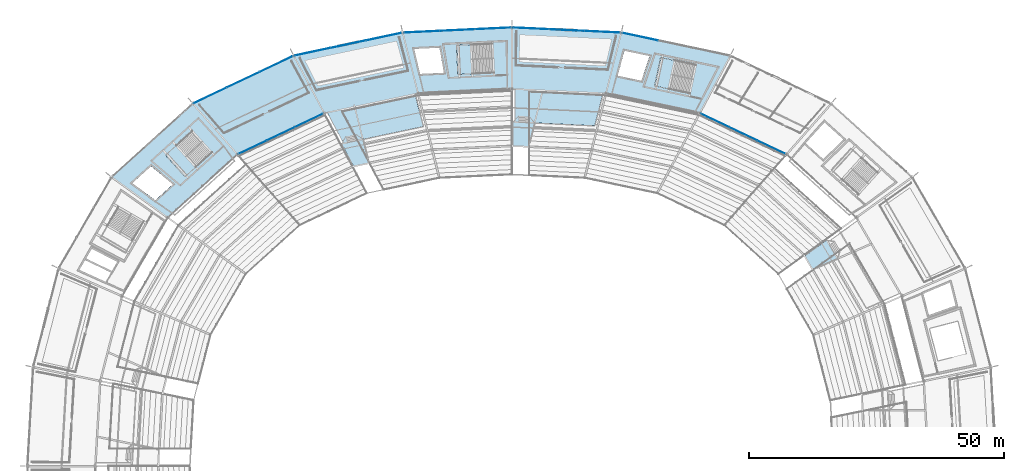
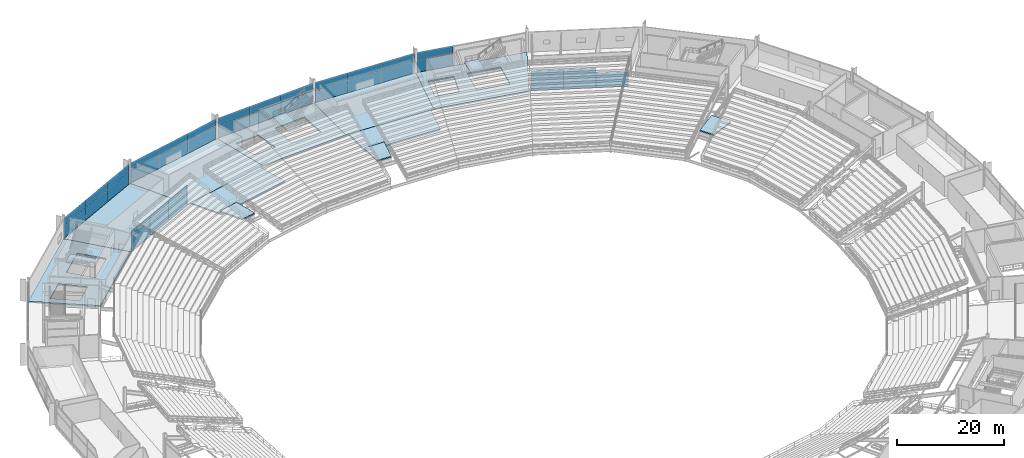
# One storey, part 123 of 186: 37 plates, 14 slabs, 10 elements without a shape of their own.
"""IFC4 building model written with IfcOpenShell, lengths in metres."""

from ifc_helpers import new_model, si_unit, direction, frame, origin, origin_2d, place, context, subcontext, project, spatial, polyline, rectangle, outline, extrude, material, layer, layer_set, type_object, element, aggregate, save


model = new_model("IFC4")

# Units and contexts
model_context = context("Model", 3, precision=1e-05, world=origin(), true_north=direction((0.0, 1.0)))
body_context = subcontext(model_context, "Body", "Model", "MODEL_VIEW")
ifc_project = project(units=[si_unit("LENGTHUNIT", "METRE"), si_unit("AREAUNIT", "SQUARE_METRE"), si_unit("VOLUMEUNIT", "CUBIC_METRE"), si_unit("PLANEANGLEUNIT", "RADIAN"), si_unit("MASSUNIT", "GRAM", prefix="KILO")], contexts=[model_context])

# Site, building, storey
site_placement = place(None, origin())
site = spatial("IfcSite", under=ifc_project, at=site_placement, CompositionType="ELEMENT")
building_placement = place(site_placement, origin())
building = spatial("IfcBuilding", under=site, at=building_placement, Name="Kazemori Nagisa Stadium", CompositionType="ELEMENT")
storey_placement = place(building_placement, frame((0.0, 0.0, 20.39990234375)))
storey = spatial("IfcBuildingStorey", under=building, at=storey_placement, Name="L04", CompositionType="ELEMENT", Elevation=20.39990234375)

# Curtain wall, plates
ifc_material_1 = material(Name="Anodised aluminium 6063-T5", Category="aluminium")
ifc_layer_1 = layer(ifc_material_1, 0.179931640625, Name="Anodised aluminium 6063-T5", Category="aluminium")
ifc_layer_set_1 = layer_set([ifc_layer_1], Name="Anodised aluminium 6063-T5")
curtain_wall_type_1 = type_object("IfcCurtainWallType", Name="CW_L04B_92", PredefinedType="USERDEFINED", material=ifc_layer_set_1)
curtain_wall_1_placement = place(storey_placement, origin())
curtain_wall_1 = element("IfcCurtainWall", 1, at=curtain_wall_1_placement, inside=storey, type_object=curtain_wall_type_1, Name="Unitised curtain wall CW-L04B-92 L04", ObjectType="UNITISED CURTAIN WALL", PredefinedType="USERDEFINED")
ifc_material_2 = material(Name="Anodised aluminium spandrel sheet", Category="aluminium")
ifc_layer_2 = layer(ifc_material_2, 0.0439453125, Name="Anodised aluminium spandrel sheet", Category="aluminium")
ifc_layer_set_2 = layer_set([ifc_layer_2], Name="Anodised aluminium spandrel sheet")
plate_type_1 = type_object("IfcPlateType", Name="CWPanel_SPN_L04B_92", PredefinedType="CURTAIN_PANEL", material=ifc_layer_set_2)
plate_1_placement = place(storey_placement, frame((168.3232421875, 167.155029296875, 3.352294921875), z_axis=(0.0, 0.0, 1.0), x_axis=(-0.903215892654, 0.429186499388, 0.0)))
plate_1 = element("IfcPlate", 2, at=plate_1_placement, type_object=plate_type_1, Name="Curtain wall spandrel panel CW-L04B-92-S2", PredefinedType="CURTAIN_PANEL", context=body_context, shape_type="SweptSolid", body=[
    extrude(rectangle(XDim=6.061279296875, YDim=0.0439453125, at=origin_2d()), origin(), (0.0, 0.0, 1.0), 1.177734375),
])
plate_2_placement = place(storey_placement, frame((162.82666015625, 169.766845703125, 3.352294921875), z_axis=(0.0, 0.0, 1.0), x_axis=(-0.903215892654, 0.429186499388, 0.0)))
plate_2 = element("IfcPlate", 3, at=plate_2_placement, type_object=plate_type_1, Name="Curtain wall spandrel panel CW-L04B-92-S3", PredefinedType="CURTAIN_PANEL", context=body_context, shape_type="SweptSolid", body=[
    extrude(rectangle(XDim=6.061279296875, YDim=0.0439453125, at=origin_2d()), origin(), (0.0, 0.0, 1.0), 1.177734375),
])

curtain_wall_2_placement = place(storey_placement, origin())
curtain_wall_2 = element("IfcCurtainWall", 4, at=curtain_wall_2_placement, inside=storey, type_object=curtain_wall_type_1, Name="Unitised curtain wall CW-L04B-92 L04", ObjectType="UNITISED CURTAIN WALL", PredefinedType="USERDEFINED")
plate_3_placement = place(storey_placement, frame((83.17333984375, 169.766845703125, 3.352294921875), z_axis=(0.0, 0.0, 1.0), x_axis=(-0.903215892654, -0.429186499388, 0.0)))
plate_3 = element("IfcPlate", 5, at=plate_3_placement, type_object=plate_type_1, Name="Curtain wall spandrel panel CW-L04B-92-S1", PredefinedType="CURTAIN_PANEL", context=body_context, shape_type="SweptSolid", body=[
    extrude(rectangle(XDim=6.061279296875, YDim=0.0439453125, at=origin_2d()), origin(), (0.0, 0.0, 1.0), 1.177734375),
])
plate_4_placement = place(storey_placement, frame((77.6767578125, 167.155029296875, 3.352294921875), z_axis=(0.0, 0.0, 1.0), x_axis=(-0.903215892654, -0.429186499388, 0.0)))
plate_4 = element("IfcPlate", 6, at=plate_4_placement, type_object=plate_type_1, Name="Curtain wall spandrel panel CW-L04B-92-S2", PredefinedType="CURTAIN_PANEL", context=body_context, shape_type="SweptSolid", body=[
    extrude(rectangle(XDim=6.061279296875, YDim=0.0439453125, at=origin_2d()), origin(), (0.0, 0.0, 1.0), 1.177734375),
])
plate_5_placement = place(storey_placement, frame((72.180419921875, 164.543212890625, 3.352294921875), z_axis=(0.0, 0.0, 1.0), x_axis=(-0.903215892654, -0.429186499388, 0.0)))
plate_5 = element("IfcPlate", 7, at=plate_5_placement, type_object=plate_type_1, Name="Curtain wall spandrel panel CW-L04B-92-S3", PredefinedType="CURTAIN_PANEL", context=body_context, shape_type="SweptSolid", body=[
    extrude(rectangle(XDim=6.061279296875, YDim=0.0439453125, at=origin_2d()), origin(), (0.0, 0.0, 1.0), 1.177734375),
])

ifc_layer_3 = layer(ifc_material_1, 0.179931640625, Name="Anodised aluminium 6063-T5", Category="aluminium")
ifc_layer_set_3 = layer_set([ifc_layer_3], Name="Anodised aluminium 6063-T5")
curtain_wall_type_2 = type_object("IfcCurtainWallType", Name="CW_L04R3_105", PredefinedType="USERDEFINED", material=ifc_layer_set_3)
curtain_wall_3_placement = place(storey_placement, origin())
curtain_wall_3 = element("IfcCurtainWall", 8, at=curtain_wall_3_placement, inside=storey, type_object=curtain_wall_type_2, Name="Unitised curtain wall CW-L04R3-105 L04", ObjectType="UNITISED CURTAIN WALL", PredefinedType="USERDEFINED")
ifc_layer_4 = layer(ifc_material_2, 0.0458984375, Name="Anodised aluminium spandrel sheet", Category="aluminium")
ifc_layer_set_4 = layer_set([ifc_layer_4], Name="Anodised aluminium spandrel sheet")
plate_type_2 = type_object("IfcPlateType", Name="CWPanel_SPN_L04R3_105", PredefinedType="CURTAIN_PANEL", material=ifc_layer_set_4)
plate_6_placement = place(storey_placement, frame((140.6865234375, 187.163818359375, 2.80859375), z_axis=(0.0, 0.0, 1.0), x_axis=(-0.998884022476, 0.047230388971, 0.0)))
plate_6 = element("IfcPlate", 9, at=plate_6_placement, type_object=plate_type_2, Name="Curtain wall spandrel panel CW-L04R3-105-S1", PredefinedType="CURTAIN_PANEL", context=body_context, shape_type="SweptSolid", body=[
    extrude(rectangle(XDim=6.956787109375, YDim=0.0458984375, at=origin_2d()), origin(), (0.0, 0.0, 1.0), 1.721435546875),
])
plate_7_placement = place(storey_placement, frame((133.7138671875, 187.493408203125, 2.80859375), z_axis=(0.0, 0.0, 1.0), x_axis=(-0.998884022476, 0.047230388971, 0.0)))
plate_7 = element("IfcPlate", 10, at=plate_7_placement, type_object=plate_type_2, Name="Curtain wall spandrel panel CW-L04R3-105-S2", PredefinedType="CURTAIN_PANEL", context=body_context, shape_type="SweptSolid", body=[
    extrude(rectangle(XDim=6.956787109375, YDim=0.0458984375, at=origin_2d()), origin(), (0.0, 0.0, 1.0), 1.721435546875),
])
plate_8_placement = place(storey_placement, frame((126.7412109375, 187.822998046875, 2.80859375), z_axis=(0.0, 0.0, 1.0), x_axis=(-0.998884022476, 0.047230388971, 0.0)))
plate_8 = element("IfcPlate", 11, at=plate_8_placement, type_object=plate_type_2, Name="Curtain wall spandrel panel CW-L04R3-105-S3", PredefinedType="CURTAIN_PANEL", context=body_context, shape_type="SweptSolid", body=[
    extrude(rectangle(XDim=6.956787109375, YDim=0.0458984375, at=origin_2d()), origin(), (0.0, 0.0, 1.0), 1.721435546875),
])

curtain_wall_4_placement = place(storey_placement, origin())
curtain_wall_4 = element("IfcCurtainWall", 12, at=curtain_wall_4_placement, inside=storey, type_object=curtain_wall_type_2, Name="Unitised curtain wall CW-L04R3-105 L04", ObjectType="UNITISED CURTAIN WALL", PredefinedType="USERDEFINED")
plate_9_placement = place(storey_placement, frame((119.2587890625, 187.822998046875, 2.80859375), z_axis=(0.0, 0.0, 1.0), x_axis=(-0.998884022476, -0.047230388971, 0.0)))
plate_9 = element("IfcPlate", 13, at=plate_9_placement, type_object=plate_type_2, Name="Curtain wall spandrel panel CW-L04R3-105-S1", PredefinedType="CURTAIN_PANEL", context=body_context, shape_type="SweptSolid", body=[
    extrude(rectangle(XDim=6.956787109375, YDim=0.0458984375, at=origin_2d()), origin(), (0.0, 0.0, 1.0), 1.721435546875),
])
plate_10_placement = place(storey_placement, frame((112.2861328125, 187.493408203125, 2.80859375), z_axis=(0.0, 0.0, 1.0), x_axis=(-0.998884022476, -0.047230388971, 0.0)))
plate_10 = element("IfcPlate", 14, at=plate_10_placement, type_object=plate_type_2, Name="Curtain wall spandrel panel CW-L04R3-105-S2", PredefinedType="CURTAIN_PANEL", context=body_context, shape_type="SweptSolid", body=[
    extrude(rectangle(XDim=6.956787109375, YDim=0.0458984375, at=origin_2d()), origin(), (0.0, 0.0, 1.0), 1.721435546875),
])
plate_11_placement = place(storey_placement, frame((105.3134765625, 187.163818359375, 2.80859375), z_axis=(0.0, 0.0, 1.0), x_axis=(-0.998884022476, -0.047230388971, 0.0)))
plate_11 = element("IfcPlate", 15, at=plate_11_placement, type_object=plate_type_2, Name="Curtain wall spandrel panel CW-L04R3-105-S3", PredefinedType="CURTAIN_PANEL", context=body_context, shape_type="SweptSolid", body=[
    extrude(rectangle(XDim=6.956787109375, YDim=0.0458984375, at=origin_2d()), origin(), (0.0, 0.0, 1.0), 1.721435546875),
])

# Curtain wall, plate
ifc_layer_5 = layer(ifc_material_1, 0.179931640625, Name="Anodised aluminium 6063-T5", Category="aluminium")
ifc_layer_set_5 = layer_set([ifc_layer_5], Name="Anodised aluminium 6063-T5")
curtain_wall_type_3 = type_object("IfcCurtainWallType", Name="CW_L04R3_107", PredefinedType="USERDEFINED", material=ifc_layer_set_5)
curtain_wall_5_placement = place(storey_placement, origin())
curtain_wall_5 = element("IfcCurtainWall", 16, at=curtain_wall_5_placement, inside=storey, type_object=curtain_wall_type_3, Name="Unitised curtain wall CW-L04R3-107 L04", ObjectType="UNITISED CURTAIN WALL", PredefinedType="USERDEFINED")
ifc_layer_6 = layer(ifc_material_2, 0.0458984375, Name="Anodised aluminium spandrel sheet", Category="aluminium")
ifc_layer_set_6 = layer_set([ifc_layer_6], Name="Anodised aluminium spandrel sheet")
plate_type_3 = type_object("IfcPlateType", Name="CWPanel_SPN_L04R3_107", PredefinedType="CURTAIN_PANEL", material=ifc_layer_set_6)
plate_12_placement = place(storey_placement, frame((148.15673828125, 186.197998046875, 2.80859375), z_axis=(0.0, 0.0, 1.0), x_axis=(-0.978344955407, 0.206981033502, 0.0)))
plate_12 = element("IfcPlate", 17, at=plate_12_placement, type_object=plate_type_3, Name="Curtain wall spandrel panel CW-L04R3-107-S3", PredefinedType="CURTAIN_PANEL", context=body_context, shape_type="SweptSolid", body=[
    extrude(rectangle(XDim=7.08935546875, YDim=0.0458984375, at=origin_2d()), origin(), (0.0, 0.0, 1.0), 1.721435546875),
])

# Curtain wall, plates
curtain_wall_6_placement = place(storey_placement, origin())
curtain_wall_6 = element("IfcCurtainWall", 18, at=curtain_wall_6_placement, inside=storey, type_object=curtain_wall_type_3, Name="Unitised curtain wall CW-L04R3-107 L04", ObjectType="UNITISED CURTAIN WALL", PredefinedType="USERDEFINED")
plate_13_placement = place(storey_placement, frame((97.84326171875, 186.197998046875, 2.80859375), z_axis=(0.0, 0.0, 1.0), x_axis=(-0.978344955407, -0.206981033502, 0.0)))
plate_13 = element("IfcPlate", 19, at=plate_13_placement, type_object=plate_type_3, Name="Curtain wall spandrel panel CW-L04R3-107-S1", PredefinedType="CURTAIN_PANEL", context=body_context, shape_type="SweptSolid", body=[
    extrude(rectangle(XDim=7.08935546875, YDim=0.0458984375, at=origin_2d()), origin(), (0.0, 0.0, 1.0), 1.721435546875),
])
plate_14_placement = place(storey_placement, frame((90.8837890625, 184.7255859375, 2.80859375), z_axis=(0.0, 0.0, 1.0), x_axis=(-0.978344955407, -0.206981033502, 0.0)))
plate_14 = element("IfcPlate", 20, at=plate_14_placement, type_object=plate_type_3, Name="Curtain wall spandrel panel CW-L04R3-107-S2", PredefinedType="CURTAIN_PANEL", context=body_context, shape_type="SweptSolid", body=[
    extrude(rectangle(XDim=7.08935546875, YDim=0.0458984375, at=origin_2d()), origin(), (0.0, 0.0, 1.0), 1.721435546875),
])
plate_15_placement = place(storey_placement, frame((83.92431640625, 183.253173828125, 2.80859375), z_axis=(0.0, 0.0, 1.0), x_axis=(-0.978344955407, -0.206981033502, 0.0)))
plate_15 = element("IfcPlate", 21, at=plate_15_placement, type_object=plate_type_3, Name="Curtain wall spandrel panel CW-L04R3-107-S3", PredefinedType="CURTAIN_PANEL", context=body_context, shape_type="SweptSolid", body=[
    extrude(rectangle(XDim=7.08935546875, YDim=0.0458984375, at=origin_2d()), origin(), (0.0, 0.0, 1.0), 1.721435546875),
])

curtain_wall_7_placement = place(storey_placement, origin())
curtain_wall_7 = element("IfcCurtainWall", 22, at=curtain_wall_7_placement, inside=storey, type_object=curtain_wall_type_3, Name="Unitised curtain wall CW-L04R3-107 L04", ObjectType="UNITISED CURTAIN WALL", PredefinedType="USERDEFINED")
plate_16_placement = place(storey_placement, frame((76.742919921875, 180.82373046875, 2.80859375), z_axis=(0.0, 0.0, 1.0), x_axis=(-0.903215892654, -0.429186499388, 0.0)))
plate_16 = element("IfcPlate", 23, at=plate_16_placement, type_object=plate_type_3, Name="Curtain wall spandrel panel CW-L04R3-107-S1", PredefinedType="CURTAIN_PANEL", context=body_context, shape_type="SweptSolid", body=[
    extrude(rectangle(XDim=7.110595703125, YDim=0.0458984375, at=origin_2d()), origin(), (0.0, 0.0, 1.0), 1.721435546875),
])
plate_17_placement = place(storey_placement, frame((70.298583984375, 177.76171875, 2.80859375), z_axis=(0.0, 0.0, 1.0), x_axis=(-0.903215892654, -0.429186499388, 0.0)))
plate_17 = element("IfcPlate", 24, at=plate_17_placement, type_object=plate_type_3, Name="Curtain wall spandrel panel CW-L04R3-107-S2", PredefinedType="CURTAIN_PANEL", context=body_context, shape_type="SweptSolid", body=[
    extrude(rectangle(XDim=7.110595703125, YDim=0.0458984375, at=origin_2d()), origin(), (0.0, 0.0, 1.0), 1.721435546875),
])
plate_18_placement = place(storey_placement, frame((63.8544921875, 174.699462890625, 2.80859375), z_axis=(0.0, 0.0, 1.0), x_axis=(-0.903215892654, -0.429186499388, 0.0)))
plate_18 = element("IfcPlate", 25, at=plate_18_placement, type_object=plate_type_3, Name="Curtain wall spandrel panel CW-L04R3-107-S3", PredefinedType="CURTAIN_PANEL", context=body_context, shape_type="SweptSolid", body=[
    extrude(rectangle(XDim=7.110595703125, YDim=0.0458984375, at=origin_2d()), origin(), (0.0, 0.0, 1.0), 1.721435546875),
])

# Plate
ifc_material_3 = material(Name="Low-e laminated double glazing", Category="glass")
ifc_layer_7 = layer(ifc_material_3, 0.031005859375, Name="Low-e laminated double glazing", Category="glass")
ifc_layer_set_7 = layer_set([ifc_layer_7], Name="Low-e laminated double glazing")
plate_type_4 = type_object("IfcPlateType", Name="CWPanel_VIS_L04B_92", PredefinedType="CURTAIN_PANEL", material=ifc_layer_set_7)
plate_19_placement = place(storey_placement, frame((173.819580078125, 164.543212890625, 0.0), z_axis=(0.0, 0.0, 1.0), x_axis=(-0.903215892654, 0.429186499388, 0.0)))
plate_19 = element("IfcPlate", 26, at=plate_19_placement, type_object=plate_type_4, Name="Curtain wall vision panel CW-L04B-92-V1", PredefinedType="CURTAIN_PANEL", context=body_context, shape_type="SweptSolid", body=[
    extrude(rectangle(XDim=6.061279296875, YDim=0.031005859375, at=origin_2d()), origin(), (0.0, 0.0, 1.0), 3.352294921875),
])

plate_20_placement = place(storey_placement, frame((168.3232421875, 167.155029296875, 0.0), z_axis=(0.0, 0.0, 1.0), x_axis=(-0.903215892654, 0.429186499388, 0.0)))
plate_20 = element("IfcPlate", 27, at=plate_20_placement, type_object=plate_type_4, Name="Curtain wall vision panel CW-L04B-92-V2", PredefinedType="CURTAIN_PANEL", context=body_context, shape_type="SweptSolid", body=[
    extrude(rectangle(XDim=6.061279296875, YDim=0.031005859375, at=origin_2d()), origin(), (0.0, 0.0, 1.0), 3.352294921875),
])

plate_21_placement = place(storey_placement, frame((162.82666015625, 169.766845703125, 0.0), z_axis=(0.0, 0.0, 1.0), x_axis=(-0.903215892654, 0.429186499388, 0.0)))
plate_21 = element("IfcPlate", 28, at=plate_21_placement, type_object=plate_type_4, Name="Curtain wall vision panel CW-L04B-92-V3", PredefinedType="CURTAIN_PANEL", context=body_context, shape_type="SweptSolid", body=[
    extrude(rectangle(XDim=6.061279296875, YDim=0.031005859375, at=origin_2d()), origin(), (0.0, 0.0, 1.0), 3.352294921875),
])

aggregate(curtain_wall_1, [plate_19, plate_20, plate_1, plate_21, plate_2])

plate_22_placement = place(storey_placement, frame((83.17333984375, 169.766845703125, 0.0), z_axis=(0.0, 0.0, 1.0), x_axis=(-0.903215892654, -0.429186499388, 0.0)))
plate_22 = element("IfcPlate", 29, at=plate_22_placement, type_object=plate_type_4, Name="Curtain wall vision panel CW-L04B-92-V1", PredefinedType="CURTAIN_PANEL", context=body_context, shape_type="SweptSolid", body=[
    extrude(rectangle(XDim=6.061279296875, YDim=0.031005859375, at=origin_2d()), origin(), (0.0, 0.0, 1.0), 3.352294921875),
])

plate_23_placement = place(storey_placement, frame((77.6767578125, 167.155029296875, 0.0), z_axis=(0.0, 0.0, 1.0), x_axis=(-0.903215892654, -0.429186499388, 0.0)))
plate_23 = element("IfcPlate", 30, at=plate_23_placement, type_object=plate_type_4, Name="Curtain wall vision panel CW-L04B-92-V2", PredefinedType="CURTAIN_PANEL", context=body_context, shape_type="SweptSolid", body=[
    extrude(rectangle(XDim=6.061279296875, YDim=0.031005859375, at=origin_2d()), origin(), (0.0, 0.0, 1.0), 3.352294921875),
])

plate_24_placement = place(storey_placement, frame((72.180419921875, 164.543212890625, 0.0), z_axis=(0.0, 0.0, 1.0), x_axis=(-0.903215892654, -0.429186499388, 0.0)))
plate_24 = element("IfcPlate", 31, at=plate_24_placement, type_object=plate_type_4, Name="Curtain wall vision panel CW-L04B-92-V3", PredefinedType="CURTAIN_PANEL", context=body_context, shape_type="SweptSolid", body=[
    extrude(rectangle(XDim=6.061279296875, YDim=0.031005859375, at=origin_2d()), origin(), (0.0, 0.0, 1.0), 3.352294921875),
])

aggregate(curtain_wall_2, [plate_22, plate_3, plate_23, plate_4, plate_24, plate_5])

ifc_layer_8 = layer(ifc_material_3, 0.029052734375, Name="Low-e laminated double glazing", Category="glass")
ifc_layer_set_8 = layer_set([ifc_layer_8], Name="Low-e laminated double glazing")
plate_type_5 = type_object("IfcPlateType", Name="CWPanel_VIS_L04R3_105", PredefinedType="CURTAIN_PANEL", material=ifc_layer_set_8)
plate_25_placement = place(storey_placement, frame((140.6865234375, 187.163818359375, 0.0), z_axis=(0.0, 0.0, 1.0), x_axis=(-0.998884022476, 0.047230388971, 0.0)))
plate_25 = element("IfcPlate", 32, at=plate_25_placement, type_object=plate_type_5, Name="Curtain wall vision panel CW-L04R3-105-V1", PredefinedType="CURTAIN_PANEL", context=body_context, shape_type="SweptSolid", body=[
    extrude(rectangle(XDim=6.956787109375, YDim=0.029052734375, at=origin_2d()), origin(), (0.0, 0.0, 1.0), 2.80859375),
])

plate_26_placement = place(storey_placement, frame((133.7138671875, 187.493408203125, 0.0), z_axis=(0.0, 0.0, 1.0), x_axis=(-0.998884022476, 0.047230388971, 0.0)))
plate_26 = element("IfcPlate", 33, at=plate_26_placement, type_object=plate_type_5, Name="Curtain wall vision panel CW-L04R3-105-V2", PredefinedType="CURTAIN_PANEL", context=body_context, shape_type="SweptSolid", body=[
    extrude(rectangle(XDim=6.956787109375, YDim=0.029052734375, at=origin_2d()), origin(), (0.0, 0.0, 1.0), 2.80859375),
])

plate_27_placement = place(storey_placement, frame((126.7412109375, 187.822998046875, 0.0), z_axis=(0.0, 0.0, 1.0), x_axis=(-0.998884022476, 0.047230388971, 0.0)))
plate_27 = element("IfcPlate", 34, at=plate_27_placement, type_object=plate_type_5, Name="Curtain wall vision panel CW-L04R3-105-V3", PredefinedType="CURTAIN_PANEL", context=body_context, shape_type="SweptSolid", body=[
    extrude(rectangle(XDim=6.956787109375, YDim=0.029052734375, at=origin_2d()), origin(), (0.0, 0.0, 1.0), 2.80859375),
])

aggregate(curtain_wall_3, [plate_25, plate_6, plate_26, plate_7, plate_27, plate_8])

plate_28_placement = place(storey_placement, frame((119.2587890625, 187.822998046875, 0.0), z_axis=(0.0, 0.0, 1.0), x_axis=(-0.998884022476, -0.047230388971, 0.0)))
plate_28 = element("IfcPlate", 35, at=plate_28_placement, type_object=plate_type_5, Name="Curtain wall vision panel CW-L04R3-105-V1", PredefinedType="CURTAIN_PANEL", context=body_context, shape_type="SweptSolid", body=[
    extrude(rectangle(XDim=6.956787109375, YDim=0.029052734375, at=origin_2d()), origin(), (0.0, 0.0, 1.0), 2.80859375),
])

plate_29_placement = place(storey_placement, frame((112.2861328125, 187.493408203125, 0.0), z_axis=(0.0, 0.0, 1.0), x_axis=(-0.998884022476, -0.047230388971, 0.0)))
plate_29 = element("IfcPlate", 36, at=plate_29_placement, type_object=plate_type_5, Name="Curtain wall vision panel CW-L04R3-105-V2", PredefinedType="CURTAIN_PANEL", context=body_context, shape_type="SweptSolid", body=[
    extrude(rectangle(XDim=6.956787109375, YDim=0.029052734375, at=origin_2d()), origin(), (0.0, 0.0, 1.0), 2.80859375),
])

plate_30_placement = place(storey_placement, frame((105.3134765625, 187.163818359375, 0.0), z_axis=(0.0, 0.0, 1.0), x_axis=(-0.998884022476, -0.047230388971, 0.0)))
plate_30 = element("IfcPlate", 37, at=plate_30_placement, type_object=plate_type_5, Name="Curtain wall vision panel CW-L04R3-105-V3", PredefinedType="CURTAIN_PANEL", context=body_context, shape_type="SweptSolid", body=[
    extrude(rectangle(XDim=6.956787109375, YDim=0.029052734375, at=origin_2d()), origin(), (0.0, 0.0, 1.0), 2.80859375),
])

aggregate(curtain_wall_4, [plate_28, plate_9, plate_29, plate_10, plate_30, plate_11])

ifc_layer_9 = layer(ifc_material_3, 0.029052734375, Name="Low-e laminated double glazing", Category="glass")
ifc_layer_set_9 = layer_set([ifc_layer_9], Name="Low-e laminated double glazing")
plate_type_6 = type_object("IfcPlateType", Name="CWPanel_VIS_L04R3_107", PredefinedType="CURTAIN_PANEL", material=ifc_layer_set_9)
plate_31_placement = place(storey_placement, frame((148.15673828125, 186.197998046875, 0.0), z_axis=(0.0, 0.0, 1.0), x_axis=(-0.978344955407, 0.206981033502, 0.0)))
plate_31 = element("IfcPlate", 38, at=plate_31_placement, type_object=plate_type_6, Name="Curtain wall vision panel CW-L04R3-107-V3", PredefinedType="CURTAIN_PANEL", context=body_context, shape_type="SweptSolid", body=[
    extrude(rectangle(XDim=7.08935546875, YDim=0.029052734375, at=origin_2d()), origin(), (0.0, 0.0, 1.0), 2.80859375),
])

aggregate(curtain_wall_5, [plate_31, plate_12])

plate_32_placement = place(storey_placement, frame((97.84326171875, 186.197998046875, 0.0), z_axis=(0.0, 0.0, 1.0), x_axis=(-0.978344955407, -0.206981033502, 0.0)))
plate_32 = element("IfcPlate", 39, at=plate_32_placement, type_object=plate_type_6, Name="Curtain wall vision panel CW-L04R3-107-V1", PredefinedType="CURTAIN_PANEL", context=body_context, shape_type="SweptSolid", body=[
    extrude(rectangle(XDim=7.08935546875, YDim=0.029052734375, at=origin_2d()), origin(), (0.0, 0.0, 1.0), 2.80859375),
])

plate_33_placement = place(storey_placement, frame((90.8837890625, 184.7255859375, 0.0), z_axis=(0.0, 0.0, 1.0), x_axis=(-0.978344955407, -0.206981033502, 0.0)))
plate_33 = element("IfcPlate", 40, at=plate_33_placement, type_object=plate_type_6, Name="Curtain wall vision panel CW-L04R3-107-V2", PredefinedType="CURTAIN_PANEL", context=body_context, shape_type="SweptSolid", body=[
    extrude(rectangle(XDim=7.08935546875, YDim=0.029052734375, at=origin_2d()), origin(), (0.0, 0.0, 1.0), 2.80859375),
])

plate_34_placement = place(storey_placement, frame((83.92431640625, 183.253173828125, 0.0), z_axis=(0.0, 0.0, 1.0), x_axis=(-0.978344955407, -0.206981033502, 0.0)))
plate_34 = element("IfcPlate", 41, at=plate_34_placement, type_object=plate_type_6, Name="Curtain wall vision panel CW-L04R3-107-V3", PredefinedType="CURTAIN_PANEL", context=body_context, shape_type="SweptSolid", body=[
    extrude(rectangle(XDim=7.08935546875, YDim=0.029052734375, at=origin_2d()), origin(), (0.0, 0.0, 1.0), 2.80859375),
])

aggregate(curtain_wall_6, [plate_32, plate_13, plate_33, plate_14, plate_34, plate_15])

plate_35_placement = place(storey_placement, frame((76.742919921875, 180.82373046875, 0.0), z_axis=(0.0, 0.0, 1.0), x_axis=(-0.903215892654, -0.429186499388, 0.0)))
plate_35 = element("IfcPlate", 42, at=plate_35_placement, type_object=plate_type_6, Name="Curtain wall vision panel CW-L04R3-107-V1", PredefinedType="CURTAIN_PANEL", context=body_context, shape_type="SweptSolid", body=[
    extrude(rectangle(XDim=7.110595703125, YDim=0.029052734375, at=origin_2d()), origin(), (0.0, 0.0, 1.0), 2.80859375),
])

plate_36_placement = place(storey_placement, frame((70.298583984375, 177.76171875, 0.0), z_axis=(0.0, 0.0, 1.0), x_axis=(-0.903215892654, -0.429186499388, 0.0)))
plate_36 = element("IfcPlate", 43, at=plate_36_placement, type_object=plate_type_6, Name="Curtain wall vision panel CW-L04R3-107-V2", PredefinedType="CURTAIN_PANEL", context=body_context, shape_type="SweptSolid", body=[
    extrude(rectangle(XDim=7.110595703125, YDim=0.029052734375, at=origin_2d()), origin(), (0.0, 0.0, 1.0), 2.80859375),
])

plate_37_placement = place(storey_placement, frame((63.8544921875, 174.699462890625, 0.0), z_axis=(0.0, 0.0, 1.0), x_axis=(-0.903215892654, -0.429186499388, 0.0)))
plate_37 = element("IfcPlate", 44, at=plate_37_placement, type_object=plate_type_6, Name="Curtain wall vision panel CW-L04R3-107-V3", PredefinedType="CURTAIN_PANEL", context=body_context, shape_type="SweptSolid", body=[
    extrude(rectangle(XDim=7.110595703125, YDim=0.029052734375, at=origin_2d()), origin(), (0.0, 0.0, 1.0), 2.80859375),
])

aggregate(curtain_wall_7, [plate_35, plate_16, plate_36, plate_17, plate_37, plate_18])

# Slabs
ifc_material_4 = material(Name="Concrete C36/45 (Fc36)", Category="concrete")
ifc_layer_10 = layer(ifc_material_4, 0.280029296875, Name="Concrete C36/45 (Fc36)", Category="concrete")
ifc_layer_set_10 = layer_set([ifc_layer_10], Name="Concrete C36/45 (Fc36)")
slab_type_1 = type_object("IfcSlabType", Name="Slab_SL-CONC-280", PredefinedType="FLOOR", material=ifc_layer_set_10)
slab_1_placement = place(storey_placement, frame((0.0, 0.0, 0.60009765625)))
element("IfcSlab", 45, at=slab_1_placement, inside=storey, type_object=slab_type_1, Name="Vomitory portal upper bay 03", PredefinedType="FLOOR", context=body_context, shape_type="SweptSolid", body=[
    extrude(outline(polyline([(181.931884765625, 140.555908203125), (180.40185546875, 143.1943359375), (184.71923828125, 146.31103515625), (186.820556640625, 142.68701171875), (181.931884765625, 140.555908203125)])), origin(), (0.0, 0.0, 1.0), 0.280029296875),
])
slab_2_placement = place(storey_placement, frame((0.0, 0.0, 0.60009765625)))
element("IfcSlab", 46, at=slab_2_placement, inside=storey, type_object=slab_type_1, Name="Vomitory portal upper bay 07", PredefinedType="FLOOR", context=body_context, shape_type="SweptSolid", body=[
    extrude(outline(polyline([(126.246337890625, 164.62646484375), (123.19970703125, 164.7705078125), (123.19970703125, 169.50048828125), (127.4248046875, 169.30078125), (126.246337890625, 164.62646484375)])), origin(), (0.0, 0.0, 1.0), 0.280029296875),
])
slab_3_placement = place(storey_placement, frame((0.0, 0.0, 0.60009765625)))
element("IfcSlab", 47, at=slab_3_placement, inside=storey, type_object=slab_type_1, Name="Vomitory portal upper bay 09", PredefinedType="FLOOR", context=body_context, shape_type="SweptSolid", body=[
    extrude(outline(polyline([(94.93212890625, 161.41162109375), (91.9482421875, 160.7802734375), (89.593994140625, 165.205810546875), (93.753662109375, 166.0859375), (94.93212890625, 161.41162109375)])), origin(), (0.0, 0.0, 1.0), 0.280029296875),
])

# Stair, slab
stair_type = type_object("IfcStairType", Name="Stair_CORE_32", PredefinedType="TWO_STRAIGHT_RUN_STAIR", material=ifc_material_4)
stair_1_placement = place(storey_placement, origin())
stair_1 = element("IfcStair", 48, at=stair_1_placement, inside=storey, type_object=stair_type, Name="Exit stair ST11 L04", PredefinedType="TWO_STRAIGHT_RUN_STAIR")
ifc_layer_11 = layer(ifc_material_4, 0.199951171875, Name="Concrete C36/45 (Fc36)", Category="concrete")
ifc_layer_set_11 = layer_set([ifc_layer_11], Name="Concrete C36/45 (Fc36)")
slab_type_2 = type_object("IfcSlabType", Name="Slab_SL-LND-200", PredefinedType="LANDING", material=ifc_layer_set_11)
slab_4_placement = place(storey_placement, frame((0.0, 0.0, 2.52001953125)))
slab_4 = element("IfcSlab", 49, at=slab_4_placement, type_object=slab_type_2, Name="Exit stair ST11 L04 mid-landing", PredefinedType="LANDING", context=body_context, shape_type="SweptSolid", body=[
    extrude(outline(polyline([(153.725830078125, 175.965087890625), (150.9375, 176.554931640625), (152.1171875, 182.131591796875), (154.905517578125, 181.541748046875), (153.725830078125, 175.965087890625)])), origin(), (0.0, 0.0, 1.0), 0.2001953125),
])
aggregate(stair_1, [slab_4])

stair_2_placement = place(storey_placement, origin())
stair_2 = element("IfcStair", 50, at=stair_2_placement, inside=storey, type_object=stair_type, Name="Exit stair ST05 L04", PredefinedType="TWO_STRAIGHT_RUN_STAIR")
slab_5_placement = place(storey_placement, frame((0.0, 0.0, 2.52001953125)))
slab_5 = element("IfcSlab", 51, at=slab_5_placement, type_object=slab_type_2, Name="Exit stair ST05 L04 mid-landing", PredefinedType="LANDING", context=body_context, shape_type="SweptSolid", body=[
    extrude(outline(polyline([(115.212158203125, 178.93798828125), (112.365234375, 178.803466796875), (112.09619140625, 184.4970703125), (114.94287109375, 184.631591796875), (115.212158203125, 178.93798828125)])), origin(), (0.0, 0.0, 1.0), 0.2001953125),
])
aggregate(stair_2, [slab_5])

stair_3_placement = place(storey_placement, origin())
stair_3 = element("IfcStair", 52, at=stair_3_placement, inside=storey, type_object=stair_type, Name="Exit stair ST02 L04", PredefinedType="TWO_STRAIGHT_RUN_STAIR")
slab_6_placement = place(storey_placement, frame((0.0, 0.0, 2.52001953125)))
slab_6 = element("IfcSlab", 53, at=slab_6_placement, type_object=slab_type_2, Name="Exit stair ST02 L04 mid-landing", PredefinedType="LANDING", context=body_context, shape_type="SweptSolid", body=[
    extrude(outline(polyline([(60.97412109375, 160.630615234375), (58.861328125, 158.7177734375), (55.035888671875, 162.943603515625), (57.148681640625, 164.856201171875), (60.97412109375, 160.630615234375)])), origin(), (0.0, 0.0, 1.0), 0.2001953125),
])
aggregate(stair_3, [slab_6])

# Slabs
ifc_layer_12 = layer(ifc_material_4, 0.300048828125, Name="Concrete C36/45 (Fc36)", Category="concrete")
ifc_layer_set_12 = layer_set([ifc_layer_12], Name="Concrete C36/45 (Fc36)")
slab_type_3 = type_object("IfcSlabType", Name="Slab_SL-UPPER-300", PredefinedType="FLOOR", material=ifc_layer_set_12)
slab_7_placement = place(storey_placement, frame((0.0, 0.0, -0.2998046875)))
element("IfcSlab", 54, at=slab_7_placement, inside=storey, type_object=slab_type_3, Name="Concourse floor slab L04 bay 06", PredefinedType="FLOOR", context=body_context, shape_type="SweptSolid", body=[
    extrude(outline(polyline([(159.81201171875, 171.19921875), (141.427734375, 175.088623046875), (144.427734375, 186.98681640625), (165.8046875, 182.46435546875), (159.81201171875, 171.19921875)]), holes=[polyline([(157.87890625, 175.08642578125), (151.4951171875, 176.43701171875), (152.6748046875, 182.013671875), (159.05859375, 180.6630859375), (157.87890625, 175.08642578125)]), polyline([(148.361328125, 177.560791015625), (143.723388671875, 178.5419921875), (145.052978515625, 183.452880859375), (149.988525390625, 182.40869140625), (148.361328125, 177.560791015625)])]), origin(), (0.0, 0.0, 1.0), 0.2998046875),
])
slab_8_placement = place(storey_placement, frame((0.0, 0.0, -0.2998046875)))
element("IfcSlab", 55, at=slab_8_placement, inside=storey, type_object=slab_type_3, Name="Concourse floor slab L04 bay 07", PredefinedType="FLOOR", context=body_context, shape_type="SweptSolid", body=[
    extrude(outline(polyline([(141.427734375, 175.088623046875), (123.0, 175.9599609375), (123.0, 188.0), (144.427734375, 186.98681640625), (141.427734375, 175.088623046875)])), origin(), (0.0, 0.0, 1.0), 0.2998046875),
])
slab_9_placement = place(storey_placement, frame((0.0, 0.0, -0.2998046875)))
element("IfcSlab", 56, at=slab_9_placement, inside=storey, type_object=slab_type_3, Name="Upper vomitory concourse slab L04 bay 07", PredefinedType="FLOOR", context=body_context, shape_type="SweptSolid", body=[
    extrude(outline(polyline([(139.221435546875, 168.742919921875), (123.599365234375, 169.481689453125), (123.599365234375, 175.931640625), (140.828369140625, 175.116943359375), (139.221435546875, 168.742919921875)])), origin(), (0.0, 0.0, 1.0), 0.2998046875),
])
slab_10_placement = place(storey_placement, frame((0.0, 0.0, -0.2998046875)))
element("IfcSlab", 57, at=slab_10_placement, inside=storey, type_object=slab_type_3, Name="Concourse floor slab L04 bay 08", PredefinedType="FLOOR", context=body_context, shape_type="SweptSolid", body=[
    extrude(outline(polyline([(123.0, 175.9599609375), (104.572265625, 175.088623046875), (101.572265625, 186.98681640625), (123.0, 188.0), (123.0, 175.9599609375)]), holes=[polyline([(119.452392578125, 179.138427734375), (112.934814453125, 178.830322265625), (112.66552734375, 184.52392578125), (119.18310546875, 184.832275390625), (119.452392578125, 179.138427734375)]), polyline([(109.63427734375, 179.112060546875), (104.9853515625, 178.89208984375), (103.82958984375, 183.825439453125), (108.77685546875, 184.0595703125), (109.63427734375, 179.112060546875)])]), origin(), (0.0, 0.0, 1.0), 0.2998046875),
])
slab_11_placement = place(storey_placement, frame((0.0, 0.0, -0.2998046875)))
element("IfcSlab", 58, at=slab_11_placement, inside=storey, type_object=slab_type_3, Name="Concourse floor slab L04 bay 09", PredefinedType="FLOOR", context=body_context, shape_type="SweptSolid", body=[
    extrude(outline(polyline([(104.572265625, 175.088623046875), (86.18798828125, 171.19921875), (80.1953125, 182.46435546875), (101.572265625, 186.98681640625), (104.572265625, 175.088623046875)])), origin(), (0.0, 0.0, 1.0), 0.2998046875),
])
slab_12_placement = place(storey_placement, frame((0.0, 0.0, -0.2998046875)))
element("IfcSlab", 59, at=slab_12_placement, inside=storey, type_object=slab_type_3, Name="Upper vomitory concourse slab L04 bay 09", PredefinedType="FLOOR", context=body_context, shape_type="SweptSolid", body=[
    extrude(outline(polyline([(105.59228515625, 168.590576171875), (89.9853515625, 165.28857421875), (86.77490234375, 171.323486328125), (103.985107421875, 174.964599609375), (105.59228515625, 168.590576171875)])), origin(), (0.0, 0.0, 1.0), 0.2998046875),
])
slab_13_placement = place(storey_placement, frame((0.0, 0.0, -0.2998046875)))
element("IfcSlab", 60, at=slab_13_placement, inside=storey, type_object=slab_type_3, Name="Concourse floor slab L04 bay 10", PredefinedType="FLOOR", context=body_context, shape_type="SweptSolid", body=[
    extrude(outline(polyline([(86.18798828125, 171.19921875), (69.165771484375, 163.11083984375), (60.402099609375, 173.05908203125), (80.1953125, 182.46435546875), (86.18798828125, 171.19921875)])), origin(), (0.0, 0.0, 1.0), 0.2998046875),
])
slab_14_placement = place(storey_placement, frame((0.0, 0.0, -0.2998046875)))
element("IfcSlab", 61, at=slab_14_placement, inside=storey, type_object=slab_type_3, Name="Concourse floor slab L04 bay 11", PredefinedType="FLOOR", context=body_context, shape_type="SweptSolid", body=[
    extrude(outline(polyline([(69.165771484375, 163.11083984375), (55.493896484375, 150.734130859375), (44.504638671875, 158.667724609375), (60.402099609375, 173.05908203125), (69.165771484375, 163.11083984375)]), holes=[polyline([(64.12109375, 163.4794921875), (59.283935546875, 159.100341796875), (55.45849609375, 163.326171875), (60.2958984375, 167.705078125), (64.12109375, 163.4794921875)]), polyline([(56.495361328125, 157.260498046875), (53.046142578125, 154.13818359375), (48.557861328125, 157.4833984375), (52.228271484375, 160.80615234375), (56.495361328125, 157.260498046875)])]), origin(), (0.0, 0.0, 1.0), 0.2998046875),
])

save(model, "model.ifc")
